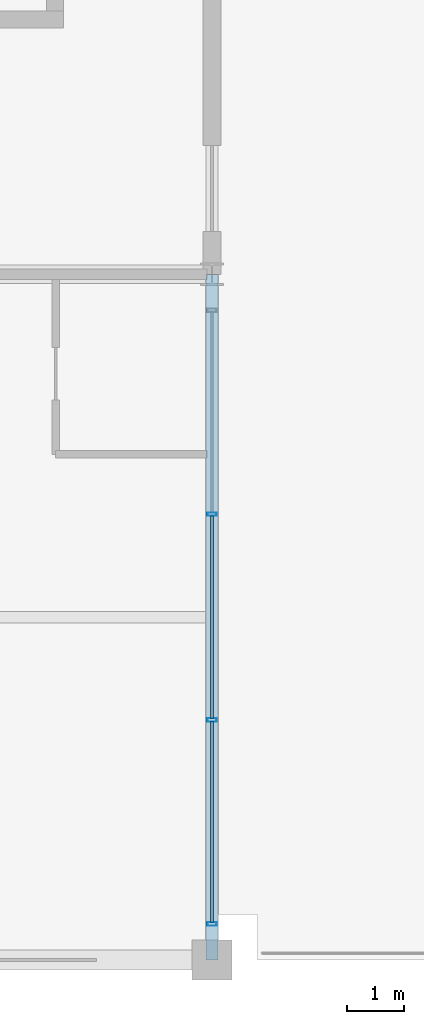
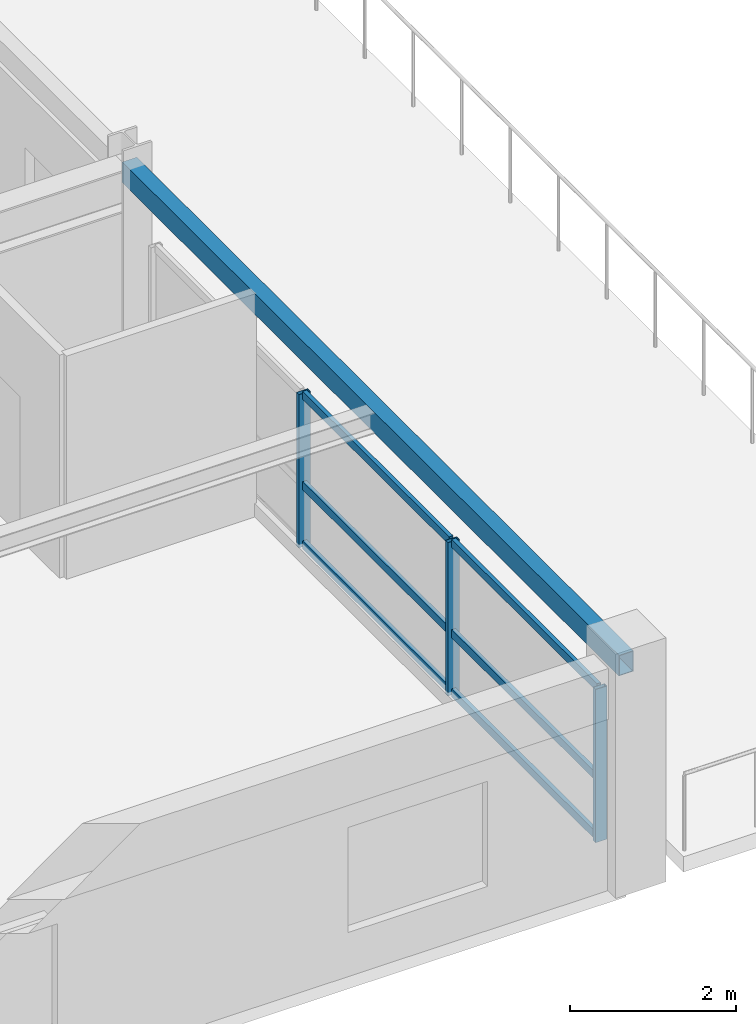
# One storey, part 10 of 24: 9 members, 1 beam, 1 element without a shape of its own.
"""IFC4 building model written with IfcOpenShell, lengths in metres."""

from ifc_helpers import new_model, si_unit, direction, frame, origin, origin_2d, place, context, subcontext, project, spatial, hollow_rectangle, extrude, material, material_profile, profile_set, type_object, element, aggregate, save


model = new_model("IFC4")

# Units and contexts
model_context = context("Model", 3, precision=1e-05, world=origin(), true_north=direction((0.0, 1.0)))
body_context = subcontext(model_context, "Body", "Model", "MODEL_VIEW")
ifc_project = project(units=[si_unit("LENGTHUNIT", "METRE"), si_unit("AREAUNIT", "SQUARE_METRE"), si_unit("VOLUMEUNIT", "CUBIC_METRE"), si_unit("PLANEANGLEUNIT", "RADIAN"), si_unit("MASSUNIT", "GRAM", prefix="KILO")], contexts=[model_context])

# Site, building, storey
site_placement = place(None, origin())
site = spatial("IfcSite", under=ifc_project, at=site_placement, CompositionType="ELEMENT")
building_placement = place(site_placement, origin())
building = spatial("IfcBuilding", under=site, at=building_placement, Name="Kaldorvane Square Convention Centre", CompositionType="ELEMENT")
storey_placement = place(building_placement, frame((0.0, 0.0, 60.0)))
storey = spatial("IfcBuildingStorey", under=building, at=storey_placement, Name="L14", CompositionType="ELEMENT", Elevation=60.0)

# Beam
ifc_material_1 = material(Name="Steel ASTM A500 Gr. C", Category="steel")
ifc_material_profile_1 = material_profile(ifc_material_1, hollow_rectangle(XDim=0.2032012939453125, YDim=0.3047943115234375, WallThickness=0.0088958740234375, at=origin_2d()), Name="HSS12X8X3/8")
ifc_profile_set_1 = profile_set([ifc_material_profile_1], Name="Steel ASTM A500 Gr. C")
beam_type = type_object("IfcBeamType", Name="BM-SP-HSS12", PredefinedType="SPANDREL", material=ifc_profile_set_1)
beam_placement = place(storey_placement, frame((78.0, 84.0, 3.13360595703125), z_axis=(0.0, 1.0, 0.0), x_axis=(-1.0, 0.0, 0.0)))
element("IfcBeam", 1, at=beam_placement, inside=storey, type_object=beam_type, Name="End Spandrel (L14)", PredefinedType="SPANDREL", context=body_context, shape_type="SweptSolid", body=[
    extrude(hollow_rectangle(XDim=0.2032012939453125, YDim=0.3047943115234375, WallThickness=0.0088958740234375, at=origin_2d()), origin(), (0.0, 0.0, 1.0), 12.0),
])

# Curtain wall, members
ifc_material_2 = material(Name="Anodized Aluminum and Low-E Insulated Glazing", Category="aluminium")
curtain_wall_type = type_object("IfcCurtainWallType", Name="CW-UNI-HTL-A", PredefinedType="USERDEFINED", material=ifc_material_2)
curtain_wall_placement = place(storey_placement, origin())
curtain_wall = element("IfcCurtainWall", 2, at=curtain_wall_placement, inside=storey, type_object=curtain_wall_type, Name="Curtain Wall CW-10 (L14)", ObjectType="UNITISED GLAZING", PredefinedType="USERDEFINED")
ifc_material_profile_2 = material_profile(ifc_material_2, hollow_rectangle(XDim=0.05999755859375, YDim=0.160003662109375, WallThickness=0.003204345703125, at=origin_2d()), Name="CWM-160X60")
ifc_profile_set_2 = profile_set([ifc_material_profile_2], Name="Anodized Aluminum and Low-E Insulated Glazing")
member_type_1 = type_object("IfcMemberType", Name="CW-MUL-160", PredefinedType="MULLION", material=ifc_profile_set_2)
member_1_placement = place(storey_placement, frame((78.0, 84.6300048828125, 0.149993896484375), z_axis=(0.0, 0.0, 1.0), x_axis=(0.0, 1.0, 0.0)))
member_1 = element("IfcMember", 3, at=member_1_placement, type_object=member_type_1, Name="CW-10 mullion 1", PredefinedType="MULLION", context=body_context, shape_type="SweptSolid", body=[
    extrude(hollow_rectangle(XDim=0.05999755859375, YDim=0.160003662109375, WallThickness=0.003204345703125, at=origin_2d()), origin(), (0.0, 0.0, 1.0), 2.260009765625),
])
member_2_placement = place(storey_placement, frame((78.0, 88.19999694824219, 0.149993896484375), z_axis=(0.0, 0.0, 1.0), x_axis=(0.0, 1.0, 0.0)))
member_2 = element("IfcMember", 4, at=member_2_placement, type_object=member_type_1, Name="CW-10 mullion 2", PredefinedType="MULLION", context=body_context, shape_type="SweptSolid", body=[
    extrude(hollow_rectangle(XDim=0.05999755859375, YDim=0.160003662109375, WallThickness=0.003204345703125, at=origin_2d()), origin(), (0.0, 0.0, 1.0), 2.260009765625),
])
member_3_placement = place(storey_placement, frame((78.0, 91.80000305175781, 0.149993896484375), z_axis=(0.0, 0.0, 1.0), x_axis=(0.0, 1.0, 0.0)))
member_3 = element("IfcMember", 5, at=member_3_placement, type_object=member_type_1, Name="CW-10 mullion 3", PredefinedType="MULLION", context=body_context, shape_type="SweptSolid", body=[
    extrude(hollow_rectangle(XDim=0.05999755859375, YDim=0.160003662109375, WallThickness=0.003204345703125, at=origin_2d()), origin(), (0.0, 0.0, 1.0), 2.260009765625),
])
ifc_material_profile_3 = material_profile(ifc_material_2, hollow_rectangle(XDim=0.05499267578125, YDim=0.1199951171875, WallThickness=0.0030059814453125, at=origin_2d()), Name="CWT-120X55")
ifc_profile_set_3 = profile_set([ifc_material_profile_3], Name="Anodized Aluminum and Low-E Insulated Glazing")
member_type_2 = type_object("IfcMemberType", Name="CW-TRN-120", PredefinedType="USERDEFINED", material=ifc_profile_set_3)
member_4_placement = place(storey_placement, frame((78.0, 84.66000366210938, 0.1775054931640625), z_axis=(0.0, 1.0, 0.0), x_axis=(-1.0, 0.0, 0.0)))
member_4 = element("IfcMember", 6, at=member_4_placement, type_object=member_type_2, Name="CW-10 transom 1.1", ObjectType="TRANSOM", PredefinedType="USERDEFINED", context=body_context, shape_type="SweptSolid", body=[
    extrude(hollow_rectangle(XDim=0.05499267578125, YDim=0.1199951171875, WallThickness=0.0030059814453125, at=origin_2d()), origin(), (0.0, 0.0, 1.0), 3.5099945068359375),
])
member_5_placement = place(storey_placement, frame((78.0, 84.66000366210938, 1.0500030517578125), z_axis=(0.0, 1.0, 0.0), x_axis=(-1.0, 0.0, 0.0)))
member_5 = element("IfcMember", 7, at=member_5_placement, type_object=member_type_2, Name="CW-10 transom 1.2", ObjectType="TRANSOM", PredefinedType="USERDEFINED", context=body_context, shape_type="SweptSolid", body=[
    extrude(hollow_rectangle(XDim=0.05499267578125, YDim=0.1199951171875, WallThickness=0.0030059814453125, at=origin_2d()), origin(), (0.0, 0.0, 1.0), 3.5099945068359375),
])
member_6_placement = place(storey_placement, frame((78.0, 84.66000366210938, 2.38250732421875), z_axis=(0.0, 1.0, 0.0), x_axis=(-1.0, 0.0, 0.0)))
member_6 = element("IfcMember", 8, at=member_6_placement, type_object=member_type_2, Name="CW-10 transom 1.3", ObjectType="TRANSOM", PredefinedType="USERDEFINED", context=body_context, shape_type="SweptSolid", body=[
    extrude(hollow_rectangle(XDim=0.05499267578125, YDim=0.1199951171875, WallThickness=0.0030059814453125, at=origin_2d()), origin(), (0.0, 0.0, 1.0), 3.5099945068359375),
])
member_7_placement = place(storey_placement, frame((78.0, 88.22999572753906, 0.1775054931640625), z_axis=(0.0, 1.0, 0.0), x_axis=(-1.0, 0.0, 0.0)))
member_7 = element("IfcMember", 9, at=member_7_placement, type_object=member_type_2, Name="CW-10 transom 2.1", ObjectType="TRANSOM", PredefinedType="USERDEFINED", context=body_context, shape_type="SweptSolid", body=[
    extrude(hollow_rectangle(XDim=0.05499267578125, YDim=0.1199951171875, WallThickness=0.0030059814453125, at=origin_2d()), origin(), (0.0, 0.0, 1.0), 3.540008544921875),
])
member_8_placement = place(storey_placement, frame((78.0, 88.22999572753906, 1.0500030517578125), z_axis=(0.0, 1.0, 0.0), x_axis=(-1.0, 0.0, 0.0)))
member_8 = element("IfcMember", 10, at=member_8_placement, type_object=member_type_2, Name="CW-10 transom 2.2", ObjectType="TRANSOM", PredefinedType="USERDEFINED", context=body_context, shape_type="SweptSolid", body=[
    extrude(hollow_rectangle(XDim=0.05499267578125, YDim=0.1199951171875, WallThickness=0.0030059814453125, at=origin_2d()), origin(), (0.0, 0.0, 1.0), 3.540008544921875),
])
member_9_placement = place(storey_placement, frame((78.0, 88.22999572753906, 2.38250732421875), z_axis=(0.0, 1.0, 0.0), x_axis=(-1.0, 0.0, 0.0)))
member_9 = element("IfcMember", 11, at=member_9_placement, type_object=member_type_2, Name="CW-10 transom 2.3", ObjectType="TRANSOM", PredefinedType="USERDEFINED", context=body_context, shape_type="SweptSolid", body=[
    extrude(hollow_rectangle(XDim=0.05499267578125, YDim=0.1199951171875, WallThickness=0.0030059814453125, at=origin_2d()), origin(), (0.0, 0.0, 1.0), 3.540008544921875),
])
aggregate(curtain_wall, [member_1, member_2, member_3, member_4, member_5, member_6, member_7, member_8, member_9])

save(model, "model.ifc")
